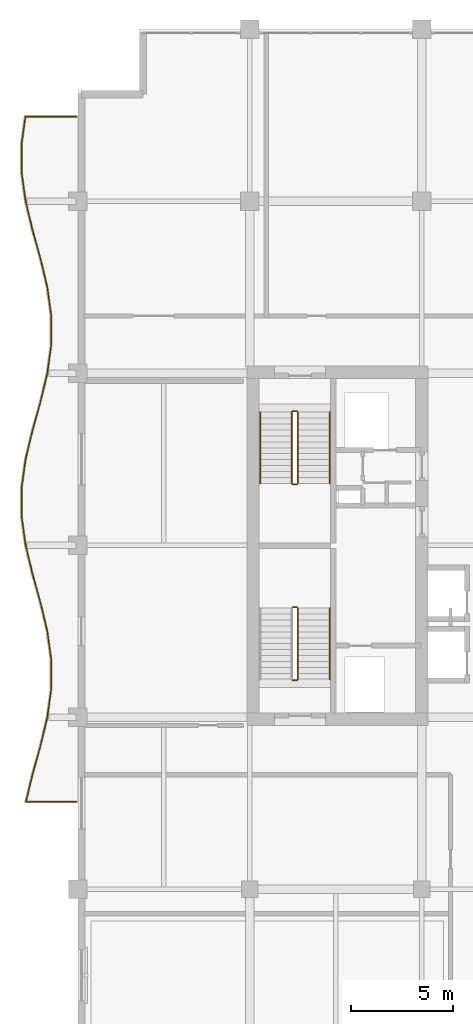
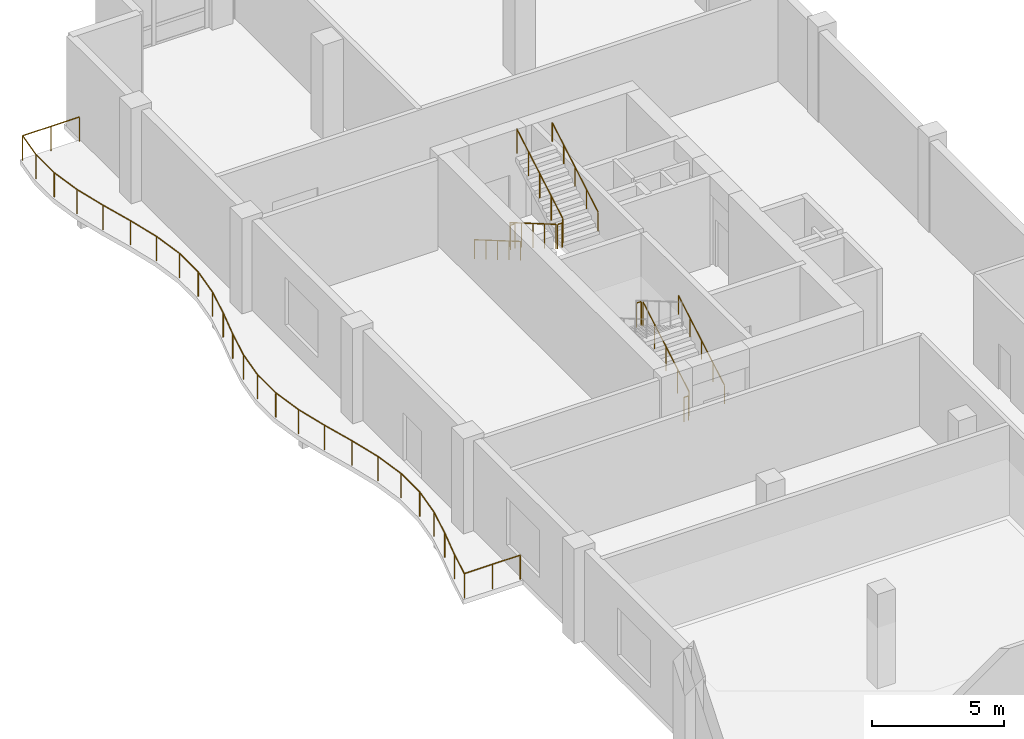
# One storey, part 15 of 16: 11 railings.
"""IFC4 building model written with IfcOpenShell, lengths in metres."""

from ifc_helpers import new_model, si_unit, direction, frame, origin, origin_2d, place, context, subcontext, project, spatial, circle, extrude, material, type_object, element, save


model = new_model("IFC4")

# Units and contexts
model_context = context("Model", 3, precision=1e-05, world=origin(), true_north=direction((0.0, 1.0)))
body_context = subcontext(model_context, "Body", "Model", "MODEL_VIEW")
ifc_project = project(units=[si_unit("LENGTHUNIT", "METRE"), si_unit("AREAUNIT", "SQUARE_METRE"), si_unit("VOLUMEUNIT", "CUBIC_METRE"), si_unit("PLANEANGLEUNIT", "RADIAN"), si_unit("MASSUNIT", "GRAM", prefix="KILO")], contexts=[model_context])

# Site, building, storey
site_placement = place(None, origin())
site = spatial("IfcSite", under=ifc_project, at=site_placement, CompositionType="ELEMENT")
building_placement = place(site_placement, origin())
building = spatial("IfcBuilding", under=site, at=building_placement, Name="Koriwani Terraces Tower", CompositionType="ELEMENT")
storey_placement = place(building_placement, frame((0.0, 0.0, 286.0)))
storey = spatial("IfcBuildingStorey", under=building, at=storey_placement, Name="L71", CompositionType="ELEMENT", Elevation=286.0)

# Railings
ifc_material = material(Name="Steel ASTM A572 Grade 50", Category="steel")
railing_type_1 = type_object("IfcRailingType", Name="GUARD_BALUSTRADE_1150", PredefinedType="BALUSTRADE", material=ifc_material)
railing_1_placement = place(storey_placement, frame((8.320068359375, 37.8798828125, 0.0)))
element("IfcRailing", 1, at=railing_1_placement, inside=storey, type_object=railing_type_1, Name="L71 Balcony Perimeter Safety Balustrade (W)", PredefinedType="BALUSTRADE", context=body_context, shape_type="SweptSolid", body=[
    extrude(circle(Radius=0.02392578125, at=origin_2d()), frame((0.0, 0.0, 1.1259765625), z_axis=(-1.0, 0.0, 0.0), x_axis=(0.0, -1.0, 0.0)), (0.0, 0.0, 1.0), 2.448974609375),
    extrude(circle(Radius=0.02392578125, at=origin_2d()), frame((-2.448974609375, 0.0, 1.1259765625), z_axis=(0.233545604015, 0.9723458494, 0.0), x_axis=(-0.9723458494, 0.233545604015, 0.0)), (0.0, 0.0, 1.0), 1.3369140625),
    extrude(circle(Radius=0.02392578125, at=origin_2d()), frame((-2.13671875, 1.300048828125, 1.1259765625), z_axis=(0.26716718525, 0.963650193341, 0.0), x_axis=(-0.963650193341, 0.26716718525, 0.0)), (0.0, 0.0, 1.0), 1.452880859375),
    extrude(circle(Radius=0.02392578125, at=origin_2d()), frame((-1.74853515625, 2.7001953125, 1.1259765625), z_axis=(0.233340999769, 0.972394970075, 0.0), x_axis=(-0.972394970075, 0.233340999769, 0.0)), (0.0, 0.0, 1.0), 1.44482421875),
    extrude(circle(Radius=0.02392578125, at=origin_2d()), frame((-1.411376953125, 4.105224609375, 1.1259765625), z_axis=(0.137264429555, 0.990534439774, 0.0), x_axis=(-0.990534439774, 0.137264429555, 0.0)), (0.0, 0.0, 1.0), 1.4228515625),
    extrude(circle(Radius=0.02392578125, at=origin_2d()), frame((-1.216064453125, 5.5146484375, 1.1259765625), z_axis=(0.0, 1.0, 0.0), x_axis=(-1.0, 0.0, 0.0)), (0.0, 0.0, 1.0), 1.410888671875),
    extrude(circle(Radius=0.02392578125, at=origin_2d()), frame((-1.216064453125, 6.925537109375, 1.1259765625), z_axis=(-0.137264429555, 0.990534439774, 0.0), x_axis=(-0.990534439774, -0.137264429555, 0.0)), (0.0, 0.0, 1.0), 1.4228515625),
    extrude(circle(Radius=0.02392578125, at=origin_2d()), frame((-1.411376953125, 8.3349609375, 1.1259765625), z_axis=(-0.233302667738, 0.972404167631, 0.0), x_axis=(-0.972404167631, -0.233302667738, 0.0)), (0.0, 0.0, 1.0), 1.445068359375),
    extrude(circle(Radius=0.02392578125, at=origin_2d()), frame((-1.74853515625, 9.740234375, 1.1259765625), z_axis=(-0.267210452187, 0.963638196753, 0.0), x_axis=(-0.963638196753, -0.267210452187, 0.0)), (0.0, 0.0, 1.0), 1.45263671875),
    extrude(circle(Radius=0.02392578125, at=origin_2d()), frame((-2.13671875, 11.14013671875, 1.1259765625), z_axis=(-0.233514568862, 0.972353303141, 0.0), x_axis=(-0.972353303141, -0.233514568862, 0.0)), (0.0, 0.0, 1.0), 1.434326171875),
    extrude(circle(Radius=0.02392578125, at=origin_2d()), frame((-2.4716796875, 12.534912109375, 1.1259765625), z_axis=(-0.137378806302, 0.990518583157, 0.0), x_axis=(-0.990518583157, -0.137378806302, 0.0)), (0.0, 0.0, 1.0), 1.404052734375),
    extrude(circle(Radius=0.02392578125, at=origin_2d()), frame((-2.66455078125, 13.925537109375, 1.1259765625), z_axis=(0.0, 1.0, 0.0), x_axis=(-1.0, 0.0, 0.0)), (0.0, 0.0, 1.0), 1.38916015625),
    extrude(circle(Radius=0.02392578125, at=origin_2d()), frame((-2.66455078125, 15.314697265625, 1.1259765625), z_axis=(0.137378806302, 0.990518583157, 0.0), x_axis=(-0.990518583157, 0.137378806302, 0.0)), (0.0, 0.0, 1.0), 1.404052734375),
    extrude(circle(Radius=0.02392578125, at=origin_2d()), frame((-2.4716796875, 16.705322265625, 1.1259765625), z_axis=(0.233514568862, 0.972353303141, 0.0), x_axis=(-0.972353303141, 0.233514568862, 0.0)), (0.0, 0.0, 1.0), 1.434326171875),
    extrude(circle(Radius=0.02392578125, at=origin_2d()), frame((-2.13671875, 18.10009765625, 1.1259765625), z_axis=(0.267210452187, 0.963638196753, 0.0), x_axis=(-0.963638196753, 0.267210452187, 0.0)), (0.0, 0.0, 1.0), 1.45263671875),
    extrude(circle(Radius=0.02392578125, at=origin_2d()), frame((-1.74853515625, 19.5, 1.1259765625), z_axis=(0.233302667738, 0.972404167631, 0.0), x_axis=(-0.972404167631, 0.233302667738, 0.0)), (0.0, 0.0, 1.0), 1.445068359375),
    extrude(circle(Radius=0.02392578125, at=origin_2d()), frame((-1.411376953125, 20.9052734375, 1.1259765625), z_axis=(0.137264429555, 0.990534439774, 0.0), x_axis=(-0.990534439774, 0.137264429555, 0.0)), (0.0, 0.0, 1.0), 1.4228515625),
    extrude(circle(Radius=0.02392578125, at=origin_2d()), frame((-1.216064453125, 22.314697265625, 1.1259765625), z_axis=(0.0, 1.0, 0.0), x_axis=(-1.0, 0.0, 0.0)), (0.0, 0.0, 1.0), 1.410888671875),
    extrude(circle(Radius=0.02392578125, at=origin_2d()), frame((-1.216064453125, 23.7255859375, 1.1259765625), z_axis=(-0.137264429555, 0.990534439774, 0.0), x_axis=(-0.990534439774, -0.137264429555, 0.0)), (0.0, 0.0, 1.0), 1.4228515625),
    extrude(circle(Radius=0.02392578125, at=origin_2d()), frame((-1.411376953125, 25.135009765625, 1.1259765625), z_axis=(-0.233340999769, 0.972394970075, 0.0), x_axis=(-0.972394970075, -0.233340999769, 0.0)), (0.0, 0.0, 1.0), 1.44482421875),
    extrude(circle(Radius=0.02392578125, at=origin_2d()), frame((-1.74853515625, 26.5400390625, 1.1259765625), z_axis=(-0.26716718525, 0.963650193341, 0.0), x_axis=(-0.963650193341, -0.26716718525, 0.0)), (0.0, 0.0, 1.0), 1.452880859375),
    extrude(circle(Radius=0.02392578125, at=origin_2d()), frame((-2.13671875, 27.940185546875, 1.1259765625), z_axis=(-0.233514568862, 0.972353303141, 0.0), x_axis=(-0.972353303141, -0.233514568862, 0.0)), (0.0, 0.0, 1.0), 1.434326171875),
    extrude(circle(Radius=0.02392578125, at=origin_2d()), frame((-2.4716796875, 29.3349609375, 1.1259765625), z_axis=(-0.137378806302, 0.990518583157, 0.0), x_axis=(-0.990518583157, -0.137378806302, 0.0)), (0.0, 0.0, 1.0), 1.404052734375),
    extrude(circle(Radius=0.02392578125, at=origin_2d()), frame((-2.66455078125, 30.7255859375, 1.1259765625), z_axis=(0.0, 1.0, 0.0), x_axis=(-1.0, 0.0, 0.0)), (0.0, 0.0, 1.0), 1.388916015625),
    extrude(circle(Radius=0.02392578125, at=origin_2d()), frame((-2.66455078125, 32.114501953125, 1.1259765625), z_axis=(0.137359576657, 0.990521249999, 0.0), x_axis=(-0.990521249999, 0.137359576657, 0.0)), (0.0, 0.0, 1.0), 1.33837890625),
    extrude(circle(Radius=0.02392578125, at=origin_2d()), frame((-2.480712890625, 33.440185546875, 1.1259765625), z_axis=(1.0, 0.0, 0.0), x_axis=(0.0, 1.0, 0.0)), (0.0, 0.0, 1.0), 2.480712890625),
    extrude(circle(Radius=0.02099609375, at=origin_2d()), origin(), (0.0, 0.0, 1.0), 1.101806640625),
    extrude(circle(Radius=0.02099609375, at=origin_2d()), frame((-1.224609375, 0.0, 0.0)), (0.0, 0.0, 1.0), 1.101806640625),
    extrude(circle(Radius=0.02099609375, at=origin_2d()), frame((-2.448974609375, 0.0, 0.0)), (0.0, 0.0, 1.0), 1.101806640625),
    extrude(circle(Radius=0.02099609375, at=origin_2d()), frame((-2.13671875, 1.300048828125, 0.0)), (0.0, 0.0, 1.0), 1.101806640625),
    extrude(circle(Radius=0.02099609375, at=origin_2d()), frame((-1.74853515625, 2.7001953125, 0.0)), (0.0, 0.0, 1.0), 1.101806640625),
    extrude(circle(Radius=0.02099609375, at=origin_2d()), frame((-1.411376953125, 4.105224609375, 0.0)), (0.0, 0.0, 1.0), 1.101806640625),
    extrude(circle(Radius=0.02099609375, at=origin_2d()), frame((-1.216064453125, 5.5146484375, 0.0)), (0.0, 0.0, 1.0), 1.101806640625),
    extrude(circle(Radius=0.02099609375, at=origin_2d()), frame((-1.216064453125, 6.925537109375, 0.0)), (0.0, 0.0, 1.0), 1.101806640625),
    extrude(circle(Radius=0.02099609375, at=origin_2d()), frame((-1.411376953125, 8.3349609375, 0.0)), (0.0, 0.0, 1.0), 1.101806640625),
    extrude(circle(Radius=0.02099609375, at=origin_2d()), frame((-1.74853515625, 9.740234375, 0.0)), (0.0, 0.0, 1.0), 1.101806640625),
    extrude(circle(Radius=0.02099609375, at=origin_2d()), frame((-2.13671875, 11.14013671875, 0.0)), (0.0, 0.0, 1.0), 1.101806640625),
    extrude(circle(Radius=0.02099609375, at=origin_2d()), frame((-2.4716796875, 12.534912109375, 0.0)), (0.0, 0.0, 1.0), 1.101806640625),
    extrude(circle(Radius=0.02099609375, at=origin_2d()), frame((-2.66455078125, 13.925537109375, 0.0)), (0.0, 0.0, 1.0), 1.101806640625),
    extrude(circle(Radius=0.02099609375, at=origin_2d()), frame((-2.66455078125, 15.314697265625, 0.0)), (0.0, 0.0, 1.0), 1.101806640625),
    extrude(circle(Radius=0.02099609375, at=origin_2d()), frame((-2.4716796875, 16.705322265625, 0.0)), (0.0, 0.0, 1.0), 1.101806640625),
    extrude(circle(Radius=0.02099609375, at=origin_2d()), frame((-2.13671875, 18.10009765625, 0.0)), (0.0, 0.0, 1.0), 1.101806640625),
    extrude(circle(Radius=0.02099609375, at=origin_2d()), frame((-1.74853515625, 19.5, 0.0)), (0.0, 0.0, 1.0), 1.101806640625),
    extrude(circle(Radius=0.02099609375, at=origin_2d()), frame((-1.411376953125, 20.9052734375, 0.0)), (0.0, 0.0, 1.0), 1.101806640625),
    extrude(circle(Radius=0.02099609375, at=origin_2d()), frame((-1.216064453125, 22.314697265625, 0.0)), (0.0, 0.0, 1.0), 1.101806640625),
    extrude(circle(Radius=0.02099609375, at=origin_2d()), frame((-1.216064453125, 23.7255859375, 0.0)), (0.0, 0.0, 1.0), 1.101806640625),
    extrude(circle(Radius=0.02099609375, at=origin_2d()), frame((-1.411376953125, 25.135009765625, 0.0)), (0.0, 0.0, 1.0), 1.101806640625),
    extrude(circle(Radius=0.02099609375, at=origin_2d()), frame((-1.74853515625, 26.5400390625, 0.0)), (0.0, 0.0, 1.0), 1.101806640625),
    extrude(circle(Radius=0.02099609375, at=origin_2d()), frame((-2.13671875, 27.940185546875, 0.0)), (0.0, 0.0, 1.0), 1.101806640625),
    extrude(circle(Radius=0.02099609375, at=origin_2d()), frame((-2.4716796875, 29.3349609375, 0.0)), (0.0, 0.0, 1.0), 1.101806640625),
    extrude(circle(Radius=0.02099609375, at=origin_2d()), frame((-2.66455078125, 30.7255859375, 0.0)), (0.0, 0.0, 1.0), 1.101806640625),
    extrude(circle(Radius=0.02099609375, at=origin_2d()), frame((-2.66455078125, 32.114501953125, 0.0)), (0.0, 0.0, 1.0), 1.101806640625),
    extrude(circle(Radius=0.02099609375, at=origin_2d()), frame((-2.480712890625, 33.440185546875, 0.0)), (0.0, 0.0, 1.0), 1.101806640625),
    extrude(circle(Radius=0.02099609375, at=origin_2d()), frame((-1.240234375, 33.440185546875, 0.0)), (0.0, 0.0, 1.0), 1.101806640625),
    extrude(circle(Radius=0.02099609375, at=origin_2d()), frame((0.0, 33.440185546875, 0.0)), (0.0, 0.0, 1.0), 1.101806640625),
])
railing_type_2 = type_object("IfcRailingType", Name="GUARD_STAIR_WELL_1120", PredefinedType="GUARDRAIL", material=ifc_material)
railing_2_placement = place(storey_placement, frame((19.14990234375, 43.85009765625, 0.169189453125)))
element("IfcRailing", 2, at=railing_2_placement, inside=storey, type_object=railing_type_2, Name="L71 ST-W1 stair guard 1", PredefinedType="GUARDRAIL", context=body_context, shape_type="SweptSolid", body=[
    extrude(circle(Radius=0.02392578125, at=origin_2d()), frame((0.0, 0.0, 1.1259765625), z_axis=(0.0, 0.863695377172, 0.504014181796), x_axis=(-1.0, 0.0, 0.0)), (0.0, 0.0, 1.0), 4.029296875),
    extrude(circle(Radius=0.02099609375, at=origin_2d()), origin(), (0.0, 0.0, 1.0), 1.101806640625),
    extrude(circle(Radius=0.02099609375, at=origin_2d()), frame((0.0, 0.8701171875, 0.5078125)), (0.0, 0.0, 1.0), 1.101806640625),
    extrude(circle(Radius=0.02099609375, at=origin_2d()), frame((0.0, 1.739990234375, 1.015380859375)), (0.0, 0.0, 1.0), 1.101806640625),
    extrude(circle(Radius=0.02099609375, at=origin_2d()), frame((0.0, 2.60986328125, 1.52294921875)), (0.0, 0.0, 1.0), 1.101806640625),
    extrude(circle(Radius=0.02099609375, at=origin_2d()), frame((0.0, 3.47998046875, 2.03076171875)), (0.0, 0.0, 1.0), 1.101806640625),
])
for number, where, name in (
    (3, (19.10009765625, 47.3798828125, 2.199951171875), "L71 ST-W1 stair guard 2"),
    (4, (19.10009765625, 43.800048828125, 0.0), "L71 ST-W1 stair guard 4"),
):
    element("IfcRailing", number, at=place(storey_placement, frame(where)), inside=storey, type_object=railing_type_2, Name=name, PredefinedType="GUARDRAIL", context=body_context, shape_type="SweptSolid", body=[
        extrude(circle(Radius=0.02392578125, at=origin_2d()), frame((0.0, 0.0, 1.1259765625), z_axis=(-1.0, 0.0, 0.0), x_axis=(0.0, -1.0, 0.0)), (0.0, 0.0, 1.0), 0.2001953125),
        extrude(circle(Radius=0.02099609375, at=origin_2d()), origin(), (0.0, 0.0, 1.0), 1.101806640625),
        extrude(circle(Radius=0.02099609375, at=origin_2d()), frame((-0.2001953125, 0.0, 0.0)), (0.0, 0.0, 1.0), 1.101806640625),
    ])
railing_3_placement = place(storey_placement, frame((18.85009765625, 56.89990234375, 0.169189453125)))
element("IfcRailing", 5, at=railing_3_placement, inside=storey, type_object=railing_type_2, Name="L71 ST-W2 stair guard 1", PredefinedType="GUARDRAIL", context=body_context, shape_type="SweptSolid", body=[
    extrude(circle(Radius=0.02392578125, at=origin_2d()), frame((0.0, 0.0, 1.1259765625), z_axis=(0.0, -0.863695377172, 0.504014181796), x_axis=(1.0, 0.0, 0.0)), (0.0, 0.0, 1.0), 4.029296875),
    extrude(circle(Radius=0.02099609375, at=origin_2d()), origin(), (0.0, 0.0, 1.0), 1.101806640625),
    extrude(circle(Radius=0.02099609375, at=origin_2d()), frame((0.0, -0.8701171875, 0.5078125)), (0.0, 0.0, 1.0), 1.101806640625),
    extrude(circle(Radius=0.02099609375, at=origin_2d()), frame((0.0, -1.739990234375, 1.015380859375)), (0.0, 0.0, 1.0), 1.101806640625),
    extrude(circle(Radius=0.02099609375, at=origin_2d()), frame((0.0, -2.60986328125, 1.52294921875)), (0.0, 0.0, 1.0), 1.101806640625),
    extrude(circle(Radius=0.02099609375, at=origin_2d()), frame((0.0, -3.47998046875, 2.03076171875)), (0.0, 0.0, 1.0), 1.101806640625),
])
railing_4_placement = place(storey_placement, frame((18.89990234375, 53.3701171875, 2.199951171875)))
element("IfcRailing", 6, at=railing_4_placement, inside=storey, type_object=railing_type_2, Name="L71 ST-W2 stair guard 2", PredefinedType="GUARDRAIL", context=body_context, shape_type="SweptSolid", body=[
    extrude(circle(Radius=0.02392578125, at=origin_2d()), frame((0.0, 0.0, 1.1259765625), z_axis=(1.0, 0.0, 0.0), x_axis=(0.0, 1.0, 0.0)), (0.0, 0.0, 1.0), 0.2001953125),
    extrude(circle(Radius=0.02099609375, at=origin_2d()), origin(), (0.0, 0.0, 1.0), 1.101806640625),
    extrude(circle(Radius=0.02099609375, at=origin_2d()), frame((0.2001953125, 0.0, 0.0)), (0.0, 0.0, 1.0), 1.101806640625),
])
railing_5_placement = place(storey_placement, frame((19.14990234375, 53.419921875, 2.369140625)))
element("IfcRailing", 7, at=railing_5_placement, inside=storey, type_object=railing_type_2, Name="L71 ST-W2 stair guard 3", PredefinedType="GUARDRAIL", context=body_context, shape_type="SweptSolid", body=[
    extrude(circle(Radius=0.02392578125, at=origin_2d()), frame((0.0, 0.0, 1.1259765625), z_axis=(0.0, 0.863695377172, 0.504014181796), x_axis=(-1.0, 0.0, 0.0)), (0.0, 0.0, 1.0), 4.029296875),
    extrude(circle(Radius=0.02099609375, at=origin_2d()), origin(), (0.0, 0.0, 1.0), 1.101806640625),
    extrude(circle(Radius=0.02099609375, at=origin_2d()), frame((0.0, 0.8701171875, 0.5078125)), (0.0, 0.0, 1.0), 1.101806640625),
    extrude(circle(Radius=0.02099609375, at=origin_2d()), frame((0.0, 1.739990234375, 1.015380859375)), (0.0, 0.0, 1.0), 1.101806640625),
    extrude(circle(Radius=0.02099609375, at=origin_2d()), frame((0.0, 2.60986328125, 1.52294921875)), (0.0, 0.0, 1.0), 1.101806640625),
    extrude(circle(Radius=0.02099609375, at=origin_2d()), frame((0.0, 3.47998046875, 2.03076171875)), (0.0, 0.0, 1.0), 1.101806640625),
])
railing_6_placement = place(storey_placement, frame((18.89990234375, 56.949951171875, 0.0)))
element("IfcRailing", 8, at=railing_6_placement, inside=storey, type_object=railing_type_2, Name="L71 ST-W2 stair guard 4", PredefinedType="GUARDRAIL", context=body_context, shape_type="SweptSolid", body=[
    extrude(circle(Radius=0.02392578125, at=origin_2d()), frame((0.0, 0.0, 1.1259765625), z_axis=(1.0, 0.0, 0.0), x_axis=(0.0, 1.0, 0.0)), (0.0, 0.0, 1.0), 0.2001953125),
    extrude(circle(Radius=0.02099609375, at=origin_2d()), origin(), (0.0, 0.0, 1.0), 1.101806640625),
    extrude(circle(Radius=0.02099609375, at=origin_2d()), frame((0.2001953125, 0.0, 0.0)), (0.0, 0.0, 1.0), 1.101806640625),
])
railing_type_3 = type_object("IfcRailingType", Name="HANDRAIL_STAIR_920", PredefinedType="HANDRAIL", material=ifc_material)
railing_7_placement = place(storey_placement, frame((20.699951171875, 43.85009765625, 0.169189453125)))
element("IfcRailing", 9, at=railing_7_placement, inside=storey, type_object=railing_type_3, Name="L71 ST-W1 stair handrail 1", PredefinedType="HANDRAIL", context=body_context, shape_type="SweptSolid", body=[
    extrude(circle(Radius=0.02392578125, at=origin_2d()), frame((0.0, 0.0, 0.8759765625), z_axis=(0.0, 0.863695377172, 0.504014181796), x_axis=(-1.0, 0.0, 0.0)), (0.0, 0.0, 1.0), 4.029296875),
    extrude(circle(Radius=0.02099609375, at=origin_2d()), origin(), (0.0, 0.0, 1.0), 0.851806640625),
    extrude(circle(Radius=0.02099609375, at=origin_2d()), frame((0.0, 0.8701171875, 0.5078125)), (0.0, 0.0, 1.0), 0.851806640625),
    extrude(circle(Radius=0.02099609375, at=origin_2d()), frame((0.0, 1.739990234375, 1.015380859375)), (0.0, 0.0, 1.0), 0.851806640625),
    extrude(circle(Radius=0.02099609375, at=origin_2d()), frame((0.0, 2.60986328125, 1.52294921875)), (0.0, 0.0, 1.0), 0.851806640625),
    extrude(circle(Radius=0.02099609375, at=origin_2d()), frame((0.0, 3.47998046875, 2.03076171875)), (0.0, 0.0, 1.0), 0.851806640625),
])
railing_8_placement = place(storey_placement, frame((17.300048828125, 56.89990234375, 0.169189453125)))
element("IfcRailing", 10, at=railing_8_placement, inside=storey, type_object=railing_type_3, Name="L71 ST-W2 stair handrail 1", PredefinedType="HANDRAIL", context=body_context, shape_type="SweptSolid", body=[
    extrude(circle(Radius=0.02392578125, at=origin_2d()), frame((0.0, 0.0, 0.8759765625), z_axis=(0.0, -0.863695377172, 0.504014181796), x_axis=(1.0, 0.0, 0.0)), (0.0, 0.0, 1.0), 4.029296875),
    extrude(circle(Radius=0.02099609375, at=origin_2d()), origin(), (0.0, 0.0, 1.0), 0.851806640625),
    extrude(circle(Radius=0.02099609375, at=origin_2d()), frame((0.0, -0.8701171875, 0.5078125)), (0.0, 0.0, 1.0), 0.851806640625),
    extrude(circle(Radius=0.02099609375, at=origin_2d()), frame((0.0, -1.739990234375, 1.015380859375)), (0.0, 0.0, 1.0), 0.851806640625),
    extrude(circle(Radius=0.02099609375, at=origin_2d()), frame((0.0, -2.60986328125, 1.52294921875)), (0.0, 0.0, 1.0), 0.851806640625),
    extrude(circle(Radius=0.02099609375, at=origin_2d()), frame((0.0, -3.47998046875, 2.03076171875)), (0.0, 0.0, 1.0), 0.851806640625),
])
railing_9_placement = place(storey_placement, frame((20.699951171875, 53.419921875, 2.369140625)))
element("IfcRailing", 11, at=railing_9_placement, inside=storey, type_object=railing_type_3, Name="L71 ST-W2 stair handrail 2", PredefinedType="HANDRAIL", context=body_context, shape_type="SweptSolid", body=[
    extrude(circle(Radius=0.02392578125, at=origin_2d()), frame((0.0, 0.0, 0.8759765625), z_axis=(0.0, 0.863695377172, 0.504014181796), x_axis=(-1.0, 0.0, 0.0)), (0.0, 0.0, 1.0), 4.029296875),
    extrude(circle(Radius=0.02099609375, at=origin_2d()), origin(), (0.0, 0.0, 1.0), 0.851806640625),
    extrude(circle(Radius=0.02099609375, at=origin_2d()), frame((0.0, 0.8701171875, 0.5078125)), (0.0, 0.0, 1.0), 0.851806640625),
    extrude(circle(Radius=0.02099609375, at=origin_2d()), frame((0.0, 1.739990234375, 1.015380859375)), (0.0, 0.0, 1.0), 0.851806640625),
    extrude(circle(Radius=0.02099609375, at=origin_2d()), frame((0.0, 2.60986328125, 1.52294921875)), (0.0, 0.0, 1.0), 0.851806640625),
    extrude(circle(Radius=0.02099609375, at=origin_2d()), frame((0.0, 3.47998046875, 2.03076171875)), (0.0, 0.0, 1.0), 0.851806640625),
])

save(model, "model.ifc")
